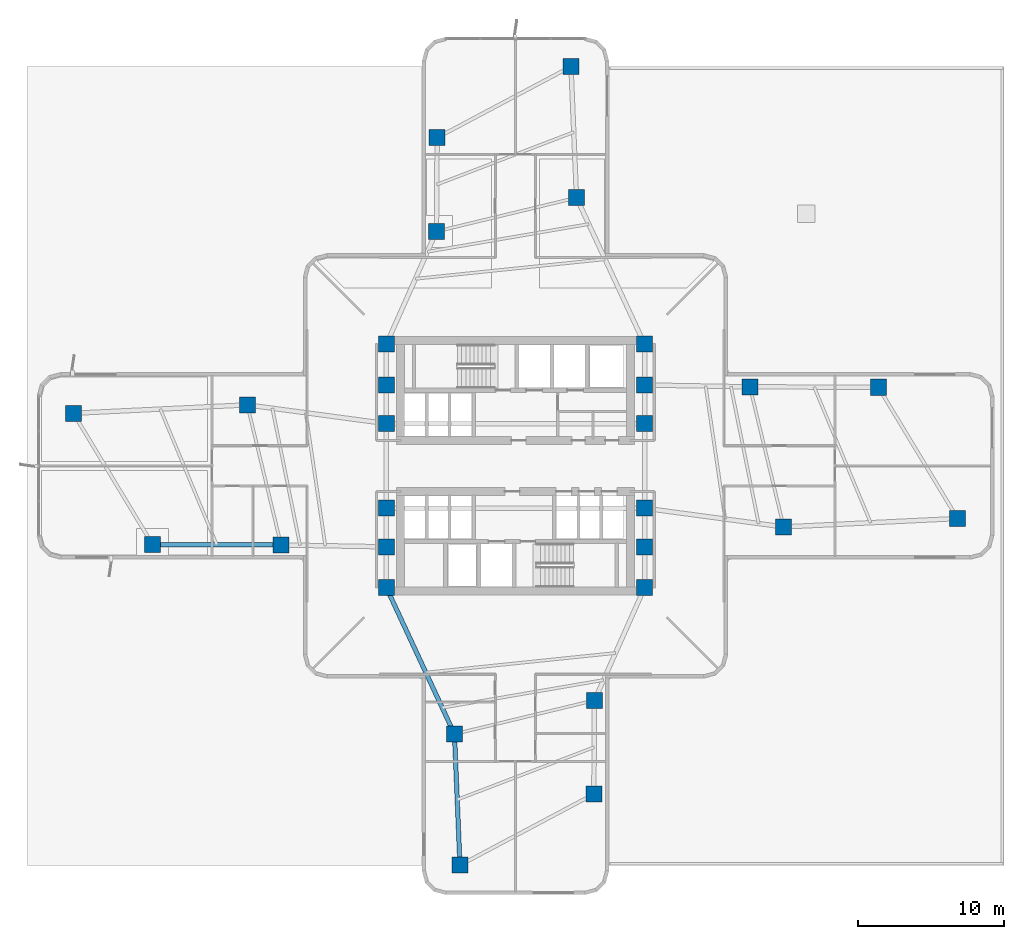
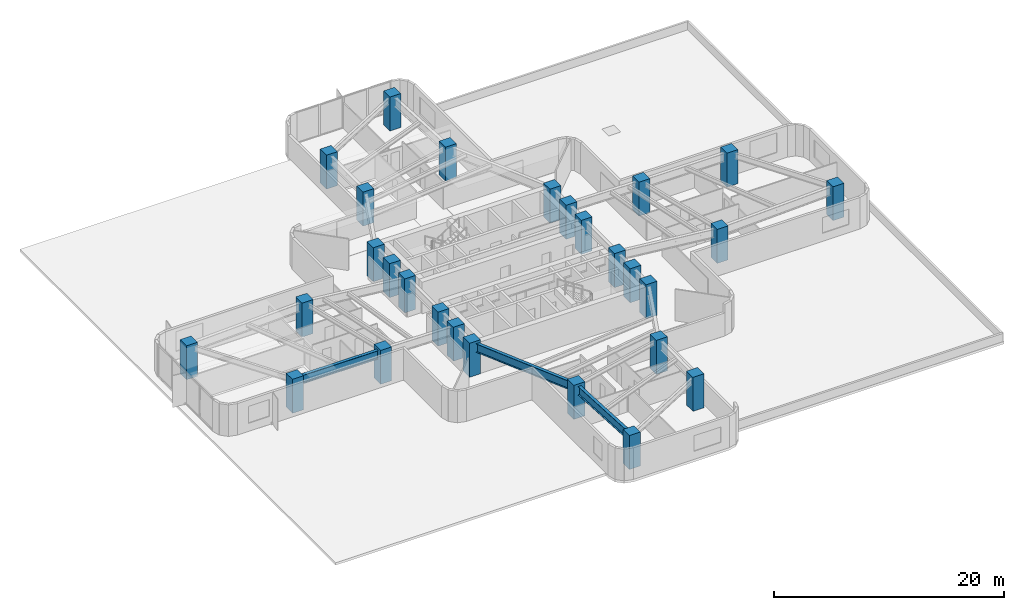
# One storey, part 1 of 14: 28 columns, 3 beams.
"""IFC4 building model written with IfcOpenShell, lengths in metres."""

from ifc_helpers import new_model, si_unit, direction, frame, origin, origin_2d, place, context, subcontext, project, spatial, rectangle, i_section, extrude, material, material_profile, profile_set, type_object, element, save


model = new_model("IFC4")

# Units and contexts
model_context = context("Model", 3, precision=1e-05, world=origin(), true_north=direction((0.0, 1.0)))
body_context = subcontext(model_context, "Body", "Model", "MODEL_VIEW")
ifc_project = project(units=[si_unit("LENGTHUNIT", "METRE"), si_unit("AREAUNIT", "SQUARE_METRE"), si_unit("VOLUMEUNIT", "CUBIC_METRE"), si_unit("PLANEANGLEUNIT", "RADIAN"), si_unit("MASSUNIT", "GRAM", prefix="KILO")], contexts=[model_context])

# Site, building, storey
site_placement = place(None, origin())
site = spatial("IfcSite", under=ifc_project, at=site_placement, CompositionType="ELEMENT")
building_placement = place(site_placement, origin())
building = spatial("IfcBuilding", under=site, at=building_placement, Name="Solmarez Civic Tower", CompositionType="ELEMENT")
storey_placement = place(building_placement, frame((0.0, 0.0, 24.47998046875)))
storey = spatial("IfcBuildingStorey", under=building, at=storey_placement, Name="L05", CompositionType="ELEMENT", Elevation=24.47998046875)

# Columns
ifc_material_1 = material(Name="Concrete C60/75", Category="concrete")
ifc_material_profile_1 = material_profile(ifc_material_1, rectangle(XDim=1.10009765625, YDim=1.10009765625, at=origin_2d()), Name="RC1100X1100")
ifc_profile_set_1 = profile_set([ifc_material_profile_1], Name="Concrete C60/75")
column_type = type_object("IfcColumnType", Name="COL-RC1100", PredefinedType="COLUMN", material=ifc_profile_set_1)
for number, where, z_axis, x_axis, name in (
    (1, (-8.85009765625, -5.550048828125, 0.0), (0.0, 0.0, 1.0), (1.0, 0.0, 0.0), "L05 Structural Column HC1"),
    (2, (-8.85009765625, -2.89990234375, 0.0), (0.0, 0.0, 1.0), (1.0, 0.0, 0.0), "L05 Structural Column HC2"),
    (3, (-8.85009765625, 2.89990234375, 0.0), (0.0, 0.0, 1.0), (1.0, 0.0, 0.0), "L05 Structural Column HC3"),
    (4, (-8.85009765625, 5.550048828125, 0.0), (0.0, 0.0, 1.0), (1.0, 0.0, 0.0), "L05 Structural Column HC4"),
    (5, (8.85009765625, -5.550048828125, 0.0), (0.0, 0.0, 1.0), (1.0, 0.0, 0.0), "L05 Structural Column HC5"),
    (6, (8.85009765625, -2.89990234375, 0.0), (0.0, 0.0, 1.0), (1.0, 0.0, 0.0), "L05 Structural Column HC6"),
    (7, (8.85009765625, 2.89990234375, 0.0), (0.0, 0.0, 1.0), (1.0, 0.0, 0.0), "L05 Structural Column HC7"),
    (8, (8.85009765625, 5.550048828125, 0.0), (0.0, 0.0, 1.0), (1.0, 0.0, 0.0), "L05 Structural Column HC8"),
    (9, (-8.85009765625, 8.35009765625, 0.0), (0.0, 0.0, 1.0), (1.0, 0.0, 0.0), "L05 Structural Column HC9"),
    (10, (8.85009765625, -8.35009765625, 0.0), (0.0, 0.0, 1.0), (1.0, 0.0, 0.0), "L05 Structural Column HC10"),
    (11, (8.85009765625, 8.35009765625, 0.0), (0.0, 0.0, 1.0), (1.0, 0.0, 0.0), "L05 Structural Column HC11"),
    (12, (-8.85009765625, -8.35009765625, 0.0), (0.0, 0.0, 1.0), (1.0, 0.0, 0.0), "L05 Structural Column HC12"),
    (13, (18.39111328125, -4.18408203125, 0.0), (0.0, 0.0, 1.0), (1.0, 0.0, 0.0), "L05 Structural Column EA11"),
    (14, (16.075927734375, 5.4208984375, 0.0), (0.0, 0.0, 1.0), (1.0, 0.0, 0.0), "L05 Structural Column EA12"),
    (15, (30.318115234375, -3.60888671875, 0.0), (0.0, 0.0, 1.0), (1.0, 0.0, 0.0), "L05 Structural Column EA21"),
    (16, (24.887939453125, 5.39306640625, 0.0), (0.0, 0.0, 1.0), (1.0, 0.0, 0.0), "L05 Structural Column EA22"),
    (17, (4.18408203125, 18.39111328125, 0.0), (0.0, 0.0, 1.0), (1.0, 0.0, 0.0), "L05 Structural Column NA11"),
    (18, (-5.4208984375, 16.075927734375, 0.0), (0.0, 0.0, 1.0), (1.0, 0.0, 0.0), "L05 Structural Column NA12"),
    (19, (3.806884765625, 27.383056640625, 0.0), (0.0, 0.0, 1.0), (1.0, 0.0, 0.0), "L05 Structural Column NA21"),
    (20, (-5.3720703125, 22.507080078125, 0.0), (0.0, 0.0, 1.0), (1.0, 0.0, 0.0), "L05 Structural Column NA22"),
    (21, (-18.39111328125, 4.18408203125, 0.0), (0.0, 0.0, 1.0), (1.0, 0.0, 0.0), "L05 Structural Column WA11"),
    (22, (-16.075927734375, -5.4208984375, 0.0), (0.0, 0.0, 1.0), (1.0, 0.0, 0.0), "L05 Structural Column WA12"),
    (23, (-30.318115234375, 3.60888671875, 0.0), (0.0, 0.0, 1.0), (1.0, 0.0, 0.0), "L05 Structural Column WA21"),
    (24, (-24.887939453125, -5.39306640625, 0.0), (0.0, 0.0, 1.0), (1.0, 0.0, 0.0), "L05 Structural Column WA22"),
    (25, (-4.18408203125, -18.39111328125, 0.0), (0.0, 0.0, 1.0), (1.0, 0.0, 0.0), "L05 Structural Column SA11"),
    (26, (5.4208984375, -16.075927734375, 0.0), (0.0, 0.0, 1.0), (1.0, 0.0, 0.0), "L05 Structural Column SA12"),
    (27, (-3.806884765625, -27.383056640625, 0.0), (0.0, 0.0, 1.0), (1.0, 0.0, 0.0), "L05 Structural Column SA21"),
    (28, (5.3720703125, -22.507080078125, 0.0), (0.0, 0.0, 1.0), (1.0, 0.0, 0.0), "L05 Structural Column SA22"),
):
    element("IfcColumn", number, at=place(storey_placement, frame(where, z_axis=z_axis, x_axis=x_axis)), inside=storey, type_object=column_type, Name=name, PredefinedType="COLUMN", context=body_context, shape_type="SweptSolid", body=[
        extrude(rectangle(XDim=1.10009765625, YDim=1.10009765625, at=origin_2d()), origin(), (0.0, 0.0, 1.0), 3.60009765625),
    ])

# Beams
ifc_material_2 = material(Name="Steel S355", Category="steel")
ifc_material_profile_2 = material_profile(ifc_material_2, i_section(OverallWidth=0.303955078125, OverallDepth=0.910888671875, WebThickness=0.015869140625, FlangeThickness=0.02392578125, at=origin_2d()), Name="W36X150")
ifc_profile_set_2 = profile_set([ifc_material_profile_2], Name="Steel S355")
beam_type = type_object("IfcBeamType", Name="BM-PR-W36X150", PredefinedType="BEAM", material=ifc_profile_set_2)
beam_1_placement = place(storey_placement, frame((-16.075927734375, -5.4208984375, 2.884033203125), z_axis=(-0.99999501223, 0.003158403928, 0.0), x_axis=(-0.003158403928, -0.99999501223, 0.0)))
element("IfcBeam", 29, at=beam_1_placement, inside=storey, type_object=beam_type, Name="L05 Primary Floor Beam BM-L05-WA-R2B", PredefinedType="BEAM", context=body_context, shape_type="SweptSolid", body=[
    extrude(i_section(OverallWidth=0.303955078125, OverallDepth=0.910888671875, WebThickness=0.015869140625, FlangeThickness=0.02392578125, at=origin_2d()), origin(), (0.0, 0.0, 1.0), 8.81201171875),
])
beam_2_placement = place(storey_placement, frame((-8.85009765625, -8.35009765625, 2.884033203125), z_axis=(0.421417065364, -0.906866945599, 0.0), x_axis=(0.906866945599, 0.421417065364, 0.0)))
element("IfcBeam", 30, at=beam_2_placement, inside=storey, type_object=beam_type, Name="L05 Primary Floor Beam BM-L05-SA-R1A", PredefinedType="BEAM", context=body_context, shape_type="SweptSolid", body=[
    extrude(i_section(OverallWidth=0.303955078125, OverallDepth=0.910888671875, WebThickness=0.015869140625, FlangeThickness=0.02392578125, at=origin_2d()), origin(), (0.0, 0.0, 1.0), 11.072265625),
])
beam_3_placement = place(storey_placement, frame((-4.18408203125, -18.39111328125, 2.884033203125), z_axis=(0.041911499832, -0.999121327058, 0.0), x_axis=(0.999121327058, 0.041911499832, 0.0)))
element("IfcBeam", 31, at=beam_3_placement, inside=storey, type_object=beam_type, Name="L05 Primary Floor Beam BM-L05-SA-R2A", PredefinedType="BEAM", context=body_context, shape_type="SweptSolid", body=[
    extrude(i_section(OverallWidth=0.303955078125, OverallDepth=0.910888671875, WebThickness=0.015869140625, FlangeThickness=0.02392578125, at=origin_2d()), origin(), (0.0, 0.0, 1.0), 8.999755859375),
])

save(model, "model.ifc")
